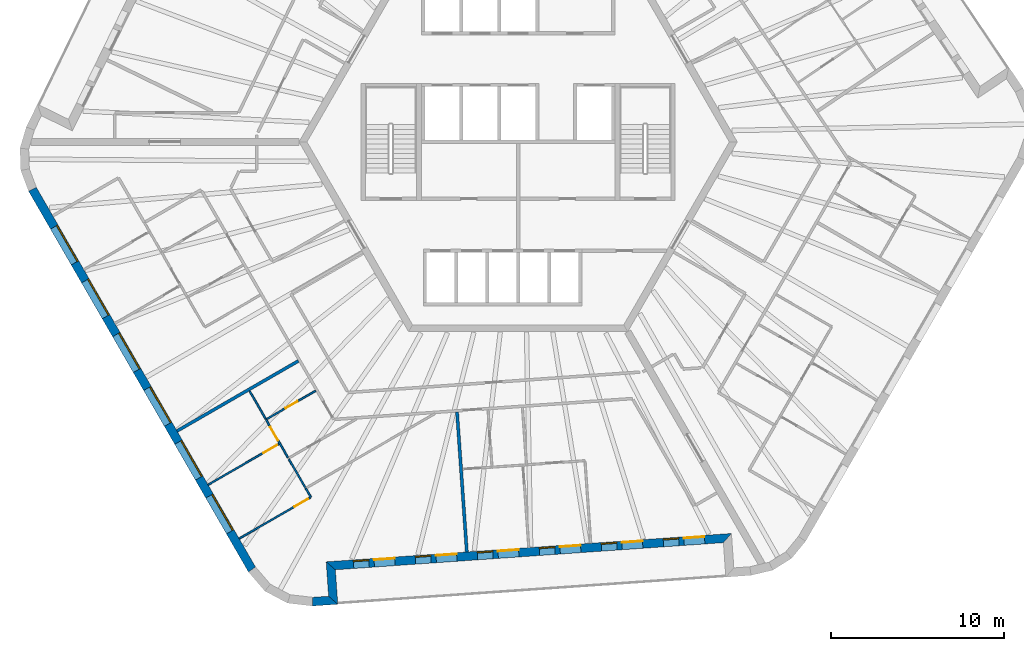
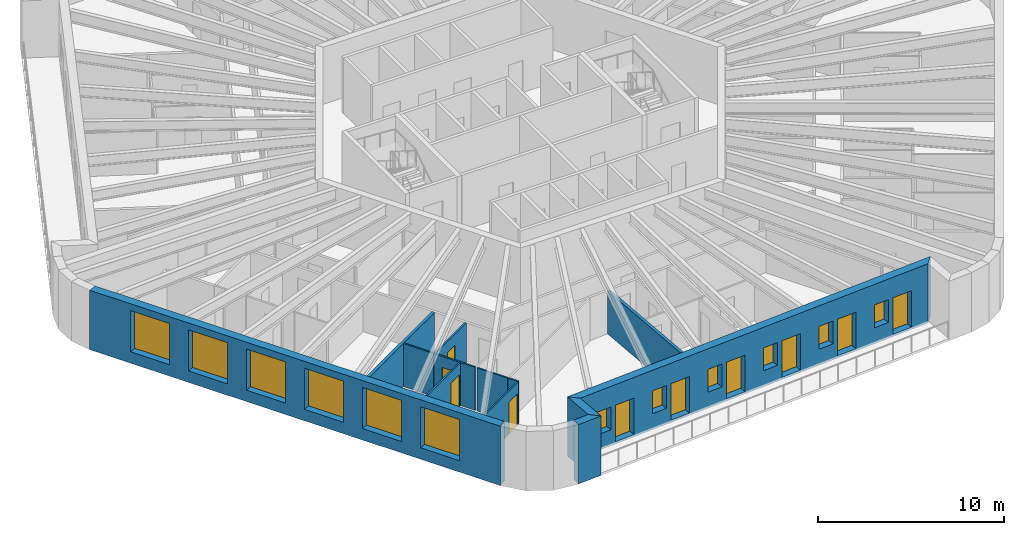
# One storey, part 3 of 12: 13 walls, 12 windows, 10 doors, 22 openings.
"""IFC4 building model written with IfcOpenShell, lengths in metres."""

from ifc_helpers import new_model, si_unit, direction, frame, frame_2d, origin, place, context, subcontext, project, spatial, polyline, rectangle, outline, extrude, material, layer, layer_set, type_object, element, fill, save


model = new_model("IFC4")

# Units and contexts
model_context = context("Model", 3, precision=1e-05, world=origin(), true_north=direction((0.0, 1.0)))
body_context = subcontext(model_context, "Body", "Model", "MODEL_VIEW")
ifc_project = project(units=[si_unit("LENGTHUNIT", "METRE"), si_unit("AREAUNIT", "SQUARE_METRE"), si_unit("VOLUMEUNIT", "CUBIC_METRE"), si_unit("PLANEANGLEUNIT", "RADIAN"), si_unit("MASSUNIT", "GRAM", prefix="KILO")], contexts=[model_context])

# Site, building, storey
site_placement = place(None, origin())
site = spatial("IfcSite", under=ifc_project, at=site_placement, CompositionType="ELEMENT")
building_placement = place(site_placement, origin())
building = spatial("IfcBuilding", under=site, at=building_placement, Name="Tarnside Tower", CompositionType="ELEMENT")
storey_placement = place(building_placement, frame((0.0, 0.0, 264.0)))
storey = spatial("IfcBuildingStorey", under=building, at=storey_placement, Name="L63", CompositionType="ELEMENT", Elevation=264.0)

# Wall, opening, door
ifc_material_1 = material(Name="Gypsum board partition on steel studs", Category="steel")
ifc_layer_1 = layer(ifc_material_1, 0.10009765625)
ifc_layer_set_1 = layer_set([ifc_layer_1], Name="Bathroom wall 100")
wall_type_1 = type_object("IfcWallType", Name="Bathroom wall 100", PredefinedType="PARTITIONING", material=ifc_layer_set_1)
wall_1_placement = place(storey_placement, frame((-11.73486328125, -14.4248046875, 0.0), z_axis=(0.0, 0.0, 1.0), x_axis=(-0.866033959199, -0.499985181294, 0.0)))
wall_1 = element("IfcWall", 1, at=wall_1_placement, inside=storey, type_object=wall_type_1, Name="Bathroom wall 20124", PredefinedType="PARTITIONING", context=body_context, shape_type="SweptSolid", body=[
    extrude(rectangle(XDim=3.32470703125, YDim=0.10009765625, at=frame_2d((1.662353515625, 0.0))), origin(), (0.0, 0.0, 1.0), 2.823486328125),
])
opening_1_placement = place(wall_1_placement, frame((1.22509765625, 0.0, 0.0)))
opening_1 = element("IfcOpeningElement", 2, at=opening_1_placement, cuts=wall_1, Name="Opening D-B1", PredefinedType="OPENING", context=body_context, shape_type="SweptSolid", body=[
    extrude(rectangle(XDim=0.800048828125, YDim=2.10009765625, at=frame_2d((0.39990234375, 1.050048828125))), frame((0.0, 0.06005859375, 0.0), z_axis=(0.0, -1.0, 0.0), x_axis=(1.0, 0.0, 0.0)), (0.0, 0.0, 1.0), 0.1201171875),
])
ifc_material_2 = material(Name="Timber door leaf", Category="wood")
door_type_1 = type_object("IfcDoorType", Name="Bathroom door 800", OperationType="NOTDEFINED", PredefinedType="DOOR", material=ifc_material_2)
door_1_placement = place(opening_1_placement, origin())
door_1 = element("IfcDoor", 3, at=door_1_placement, inside=storey, type_object=door_type_1, Name="Bathroom door 20033", OperationType="SINGLE_SWING_RIGHT", OverallHeight=2.10009765625, OverallWidth=0.800048828125, PredefinedType="DOOR", context=body_context, shape_type="SweptSolid", body=[
    extrude(rectangle(XDim=0.800048828125, YDim=2.10009765625, at=frame_2d((0.39990234375, 1.050048828125))), frame((0.0, 0.02490234375, 0.0), z_axis=(0.0, -1.0, 0.0), x_axis=(1.0, 0.0, 0.0)), (0.0, 0.0, 1.0), 0.050048828125),
])
fill(opening_1, door_1)

# Walls
wall_2_placement = place(storey_placement, frame((-15.5693359375, -14.43310546875, 0.0), z_axis=(0.0, 0.0, 1.0), x_axis=(0.499960808225, -0.866048029984, 0.0)))
element("IfcWall", 4, at=wall_2_placement, inside=storey, type_object=wall_type_1, Name="Bathroom wall 20128", PredefinedType="PARTITIONING", context=body_context, shape_type="SweptSolid", body=[
    extrude(rectangle(XDim=1.862060546875, YDim=0.10009765625, at=frame_2d((0.93115234375, 0.0))), origin(), (0.0, 0.0, 1.0), 2.823486328125),
])
wall_3_placement = place(storey_placement, frame((-12.33935546875, -20.027587890625, 0.0), z_axis=(0.0, 0.0, 1.0), x_axis=(-0.500022797313, 0.86601224135, 0.0)))
element("IfcWall", 5, at=wall_3_placement, inside=storey, type_object=wall_type_1, Name="Bathroom wall 20130", PredefinedType="PARTITIONING", context=body_context, shape_type="SweptSolid", body=[
    extrude(rectangle(XDim=1.89990234375, YDim=0.10009765625, at=frame_2d((0.949951171875, 0.0))), origin(), (0.0, 0.0, 1.0), 2.823486328125),
])
ifc_layer_2 = layer(ifc_material_1, 0.179931640625)
ifc_layer_set_2 = layer_set([ifc_layer_2], Name="Demising wall 180 EI 60")
wall_type_2 = type_object("IfcWallType", Name="Demising wall 180 EI 60", PredefinedType="PARTITIONING", material=ifc_layer_set_2)
for number, where, z_axis, x_axis, name in (
    (6, (-19.771240234375, -16.755126953125, 0.0), (0.0, 0.0, 1.0), (0.866022959057, 0.500004234368, 0.0), "Demising wall 20111"),
    (7, (-2.97412109375, -23.765380859375, 0.0), (0.0, 0.0, 1.0), (-0.069771417753, 0.99756300516, 0.0), "Demising wall 20122"),
):
    element("IfcWall", number, at=place(storey_placement, frame(where, z_axis=z_axis, x_axis=x_axis)), inside=storey, type_object=wall_type_2, Name=name, PredefinedType="PARTITIONING", context=body_context, shape_type="SweptSolid", body=[
        extrude(rectangle(XDim=8.125, YDim=0.179931640625, at=frame_2d((4.0625, 0.0))), origin(), (0.0, 0.0, 1.0), 2.823486328125),
    ])
ifc_material_3 = material(Name="Dark zinc cladding")
ifc_layer_3 = layer(ifc_material_3, 0.10205078125)
ifc_material_4 = material(Name="Concrete C60/75 precast", Category="concrete")
ifc_layer_4 = layer(ifc_material_4, 0.298095703125)
ifc_material_5 = material(Name="Mineral wool insulation")
ifc_layer_5 = layer(ifc_material_5, 0.10009765625)
ifc_layer_set_3 = layer_set([ifc_layer_3, ifc_layer_4, ifc_layer_5], Name="Loggia wall 500 zinc faced")
wall_type_3 = type_object("IfcWallType", Name="Loggia wall 500 zinc faced", PredefinedType="SOLIDWALL", material=ifc_layer_set_3)
wall_4_placement = place(storey_placement, frame((-11.91748046875, -26.646240234375, -0.14990234375), z_axis=(0.0, 0.0, 1.0), x_axis=(0.997562933087, 0.069772448216, 0.0)))
element("IfcWall", 8, at=wall_4_placement, inside=storey, type_object=wall_type_3, Name="Tube wall L63 F4 stub 16", PredefinedType="SOLIDWALL", context=body_context, shape_type="SweptSolid", body=[
    extrude(outline(polyline([(-0.0234375, -0.25), (1.4501953125, -0.25), (0.9501953125, 0.25), (0.0234375, 0.25), (-0.0234375, -0.25)])), origin(), (0.0, 0.0, 1.0), 3.89990234375),
])
wall_5_placement = place(storey_placement, frame((-10.72021484375, -26.5625, -0.14990234375), z_axis=(0.0, 0.0, 1.0), x_axis=(-0.069824268692, 0.99755930726, 0.0)))
element("IfcWall", 9, at=wall_5_placement, inside=storey, type_object=wall_type_3, Name="Tube wall L63 F4 return 17", PredefinedType="SOLIDWALL", context=body_context, shape_type="SweptSolid", body=[
    extrude(outline(polyline([(-0.25, -0.25), (1.75, -0.25), (2.25, 0.25), (0.25, 0.25), (-0.25, -0.25)])), origin(), (0.0, 0.0, 1.0), 3.89990234375),
])

# Wall, openings, doors, windows
wall_6_placement = place(storey_placement, frame((-10.85986328125, -24.5673828125, -0.14990234375), z_axis=(0.0, 0.0, 1.0), x_axis=(0.997564329317, 0.06975248292, 0.0)))
wall_6 = element("IfcWall", 10, at=wall_6_placement, inside=storey, type_object=wall_type_3, Name="Tube wall L63 F4 back 18", PredefinedType="SOLIDWALL", context=body_context, shape_type="SweptSolid", body=[
    extrude(outline(polyline([(0.25, -0.25), (22.794677734375, -0.25), (23.294677734375, 0.25), (-0.25, 0.25), (0.25, -0.25)])), origin(), (0.0, 0.0, 1.0), 3.89990234375),
])
opening_2_placement = place(wall_6_placement, frame((1.322509765625, 0.0, 1.050048828125)))
opening_2 = element("IfcOpeningElement", 11, at=opening_2_placement, cuts=wall_6, Name="Opening WL500", PredefinedType="OPENING", context=body_context, shape_type="SweptSolid", body=[
    extrude(rectangle(XDim=0.89990234375, YDim=1.5, at=frame_2d((0.449951171875, 0.75))), frame((0.0, 0.260009765625, 0.0), z_axis=(0.0, -1.0, 0.0), x_axis=(1.0, 0.0, 0.0)), (0.0, 0.0, 1.0), 0.52001953125),
])
opening_3_placement = place(wall_6_placement, frame((2.5224609375, 0.0, 0.14990234375)))
opening_3 = element("IfcOpeningElement", 12, at=opening_3_placement, cuts=wall_6, Name="Opening DB500", PredefinedType="OPENING", context=body_context, shape_type="SweptSolid", body=[
    extrude(rectangle(XDim=1.199951171875, YDim=2.39990234375, at=frame_2d((0.60009765625, 1.199951171875))), frame((0.0, 0.260009765625, 0.0), z_axis=(0.0, -1.0, 0.0), x_axis=(1.0, 0.0, 0.0)), (0.0, 0.0, 1.0), 0.52001953125),
])
opening_4_placement = place(wall_6_placement, frame((4.92236328125, 0.0, 1.050048828125)))
opening_4 = element("IfcOpeningElement", 13, at=opening_4_placement, cuts=wall_6, Name="Opening WL500", PredefinedType="OPENING", context=body_context, shape_type="SweptSolid", body=[
    extrude(rectangle(XDim=0.89990234375, YDim=1.5, at=frame_2d((0.449951171875, 0.75))), frame((0.0, 0.260009765625, 0.0), z_axis=(0.0, -1.0, 0.0), x_axis=(1.0, 0.0, 0.0)), (0.0, 0.0, 1.0), 0.52001953125),
])
opening_5_placement = place(wall_6_placement, frame((6.122314453125, 0.0, 0.14990234375)))
opening_5 = element("IfcOpeningElement", 14, at=opening_5_placement, cuts=wall_6, Name="Opening DB500", PredefinedType="OPENING", context=body_context, shape_type="SweptSolid", body=[
    extrude(rectangle(XDim=1.199951171875, YDim=2.39990234375, at=frame_2d((0.60009765625, 1.199951171875))), frame((0.0, 0.260009765625, 0.0), z_axis=(0.0, -1.0, 0.0), x_axis=(1.0, 0.0, 0.0)), (0.0, 0.0, 1.0), 0.52001953125),
])
opening_6_placement = place(wall_6_placement, frame((8.5224609375, 0.0, 1.050048828125)))
opening_6 = element("IfcOpeningElement", 15, at=opening_6_placement, cuts=wall_6, Name="Opening WL500", PredefinedType="OPENING", context=body_context, shape_type="SweptSolid", body=[
    extrude(rectangle(XDim=0.89990234375, YDim=1.5, at=frame_2d((0.449951171875, 0.75))), frame((0.0, 0.260009765625, 0.0), z_axis=(0.0, -1.0, 0.0), x_axis=(1.0, 0.0, 0.0)), (0.0, 0.0, 1.0), 0.52001953125),
])
opening_7_placement = place(wall_6_placement, frame((9.722412109375, 0.0, 0.14990234375)))
opening_7 = element("IfcOpeningElement", 16, at=opening_7_placement, cuts=wall_6, Name="Opening DB500", PredefinedType="OPENING", context=body_context, shape_type="SweptSolid", body=[
    extrude(rectangle(XDim=1.199951171875, YDim=2.39990234375, at=frame_2d((0.60009765625, 1.199951171875))), frame((0.0, 0.260009765625, 0.0), z_axis=(0.0, -1.0, 0.0), x_axis=(1.0, 0.0, 0.0)), (0.0, 0.0, 1.0), 0.52001953125),
])
opening_8_placement = place(wall_6_placement, frame((12.122314453125, 0.0, 1.050048828125)))
opening_8 = element("IfcOpeningElement", 17, at=opening_8_placement, cuts=wall_6, Name="Opening WL500", PredefinedType="OPENING", context=body_context, shape_type="SweptSolid", body=[
    extrude(rectangle(XDim=0.89990234375, YDim=1.5, at=frame_2d((0.449951171875, 0.75))), frame((0.0, 0.260009765625, 0.0), z_axis=(0.0, -1.0, 0.0), x_axis=(1.0, 0.0, 0.0)), (0.0, 0.0, 1.0), 0.52001953125),
])
opening_9_placement = place(wall_6_placement, frame((13.322509765625, 0.0, 0.14990234375)))
opening_9 = element("IfcOpeningElement", 18, at=opening_9_placement, cuts=wall_6, Name="Opening DB500", PredefinedType="OPENING", context=body_context, shape_type="SweptSolid", body=[
    extrude(rectangle(XDim=1.199951171875, YDim=2.39990234375, at=frame_2d((0.60009765625, 1.199951171875))), frame((0.0, 0.260009765625, 0.0), z_axis=(0.0, -1.0, 0.0), x_axis=(1.0, 0.0, 0.0)), (0.0, 0.0, 1.0), 0.52001953125),
])
opening_10_placement = place(wall_6_placement, frame((15.722412109375, 0.0, 1.050048828125)))
opening_10 = element("IfcOpeningElement", 19, at=opening_10_placement, cuts=wall_6, Name="Opening WL500", PredefinedType="OPENING", context=body_context, shape_type="SweptSolid", body=[
    extrude(rectangle(XDim=0.89990234375, YDim=1.5, at=frame_2d((0.449951171875, 0.75))), frame((0.0, 0.260009765625, 0.0), z_axis=(0.0, -1.0, 0.0), x_axis=(1.0, 0.0, 0.0)), (0.0, 0.0, 1.0), 0.52001953125),
])
opening_11_placement = place(wall_6_placement, frame((16.92236328125, 0.0, 0.14990234375)))
opening_11 = element("IfcOpeningElement", 20, at=opening_11_placement, cuts=wall_6, Name="Opening DB500", PredefinedType="OPENING", context=body_context, shape_type="SweptSolid", body=[
    extrude(rectangle(XDim=1.199951171875, YDim=2.39990234375, at=frame_2d((0.60009765625, 1.199951171875))), frame((0.0, 0.260009765625, 0.0), z_axis=(0.0, -1.0, 0.0), x_axis=(1.0, 0.0, 0.0)), (0.0, 0.0, 1.0), 0.52001953125),
])
opening_12_placement = place(wall_6_placement, frame((19.322509765625, 0.0, 1.050048828125)))
opening_12 = element("IfcOpeningElement", 21, at=opening_12_placement, cuts=wall_6, Name="Opening WL500", PredefinedType="OPENING", context=body_context, shape_type="SweptSolid", body=[
    extrude(rectangle(XDim=0.89990234375, YDim=1.5, at=frame_2d((0.449951171875, 0.75))), frame((0.0, 0.260009765625, 0.0), z_axis=(0.0, -1.0, 0.0), x_axis=(1.0, 0.0, 0.0)), (0.0, 0.0, 1.0), 0.52001953125),
])
opening_13_placement = place(wall_6_placement, frame((20.5224609375, 0.0, 0.14990234375)))
opening_13 = element("IfcOpeningElement", 22, at=opening_13_placement, cuts=wall_6, Name="Opening DB500", PredefinedType="OPENING", context=body_context, shape_type="SweptSolid", body=[
    extrude(rectangle(XDim=1.199951171875, YDim=2.39990234375, at=frame_2d((0.60009765625, 1.199951171875))), frame((0.0, 0.260009765625, 0.0), z_axis=(0.0, -1.0, 0.0), x_axis=(1.0, 0.0, 0.0)), (0.0, 0.0, 1.0), 0.52001953125),
])
ifc_material_6 = material(Name="Aluminium-framed double glazing", Category="aluminium")
door_type_2 = type_object("IfcDoorType", Name="Balcony sliding door 1200 x 2400 in 500 wall", OperationType="SLIDING_TO_LEFT", PredefinedType="DOOR", material=ifc_material_6)
door_2_placement = place(opening_3_placement, frame((0.0, 0.1748046875, 0.0)))
door_2 = element("IfcDoor", 23, at=door_2_placement, inside=storey, type_object=door_type_2, Name="E.BD.L63.F4.00", OperationType="SLIDING_TO_LEFT", OverallHeight=2.39990234375, OverallWidth=1.199951171875, PredefinedType="DOOR", context=body_context, shape_type="SweptSolid", body=[
    extrude(rectangle(XDim=1.199951171875, YDim=2.39990234375, at=frame_2d((0.60009765625, 1.199951171875))), frame((0.0, 0.02490234375, 0.0), z_axis=(0.0, -1.0, 0.0), x_axis=(1.0, 0.0, 0.0)), (0.0, 0.0, 1.0), 0.050048828125),
])
fill(opening_3, door_2)
door_3_placement = place(opening_5_placement, frame((0.0, 0.1748046875, 0.0)))
door_3 = element("IfcDoor", 24, at=door_3_placement, inside=storey, type_object=door_type_2, Name="E.BD.L63.F4.01", OperationType="SLIDING_TO_LEFT", OverallHeight=2.39990234375, OverallWidth=1.199951171875, PredefinedType="DOOR", context=body_context, shape_type="SweptSolid", body=[
    extrude(rectangle(XDim=1.199951171875, YDim=2.39990234375, at=frame_2d((0.60009765625, 1.199951171875))), frame((0.0, 0.02490234375, 0.0), z_axis=(0.0, -1.0, 0.0), x_axis=(1.0, 0.0, 0.0)), (0.0, 0.0, 1.0), 0.050048828125),
])
fill(opening_5, door_3)
door_4_placement = place(opening_7_placement, frame((0.0, 0.1748046875, 0.0)))
door_4 = element("IfcDoor", 25, at=door_4_placement, inside=storey, type_object=door_type_2, Name="E.BD.L63.F4.02", OperationType="SLIDING_TO_LEFT", OverallHeight=2.39990234375, OverallWidth=1.199951171875, PredefinedType="DOOR", context=body_context, shape_type="SweptSolid", body=[
    extrude(rectangle(XDim=1.199951171875, YDim=2.39990234375, at=frame_2d((0.60009765625, 1.199951171875))), frame((0.0, 0.02490234375, 0.0), z_axis=(0.0, -1.0, 0.0), x_axis=(1.0, 0.0, 0.0)), (0.0, 0.0, 1.0), 0.050048828125),
])
fill(opening_7, door_4)
door_5_placement = place(opening_9_placement, frame((0.0, 0.1748046875, 0.0)))
door_5 = element("IfcDoor", 26, at=door_5_placement, inside=storey, type_object=door_type_2, Name="E.BD.L63.F4.03", OperationType="SLIDING_TO_LEFT", OverallHeight=2.39990234375, OverallWidth=1.199951171875, PredefinedType="DOOR", context=body_context, shape_type="SweptSolid", body=[
    extrude(rectangle(XDim=1.199951171875, YDim=2.39990234375, at=frame_2d((0.60009765625, 1.199951171875))), frame((0.0, 0.02490234375, 0.0), z_axis=(0.0, -1.0, 0.0), x_axis=(1.0, 0.0, 0.0)), (0.0, 0.0, 1.0), 0.050048828125),
])
fill(opening_9, door_5)
door_6_placement = place(opening_11_placement, frame((0.0, 0.1748046875, 0.0)))
door_6 = element("IfcDoor", 27, at=door_6_placement, inside=storey, type_object=door_type_2, Name="E.BD.L63.F4.04", OperationType="SLIDING_TO_LEFT", OverallHeight=2.39990234375, OverallWidth=1.199951171875, PredefinedType="DOOR", context=body_context, shape_type="SweptSolid", body=[
    extrude(rectangle(XDim=1.199951171875, YDim=2.39990234375, at=frame_2d((0.60009765625, 1.199951171875))), frame((0.0, 0.02490234375, 0.0), z_axis=(0.0, -1.0, 0.0), x_axis=(1.0, 0.0, 0.0)), (0.0, 0.0, 1.0), 0.050048828125),
])
fill(opening_11, door_6)
door_7_placement = place(opening_13_placement, frame((0.0, 0.1748046875, 0.0)))
door_7 = element("IfcDoor", 28, at=door_7_placement, inside=storey, type_object=door_type_2, Name="E.BD.L63.F4.05", OperationType="SLIDING_TO_LEFT", OverallHeight=2.39990234375, OverallWidth=1.199951171875, PredefinedType="DOOR", context=body_context, shape_type="SweptSolid", body=[
    extrude(rectangle(XDim=1.199951171875, YDim=2.39990234375, at=frame_2d((0.60009765625, 1.199951171875))), frame((0.0, 0.02490234375, 0.0), z_axis=(0.0, -1.0, 0.0), x_axis=(1.0, 0.0, 0.0)), (0.0, 0.0, 1.0), 0.050048828125),
])
fill(opening_13, door_7)
window_type_1 = type_object("IfcWindowType", Name="Loggia window 900 x 1500 in 500 wall", PartitioningType="SINGLE_PANEL", PredefinedType="WINDOW", material=ifc_material_6)
window_1_placement = place(opening_2_placement, frame((0.0, 0.179931640625, 0.0)))
window_1 = element("IfcWindow", 29, at=window_1_placement, inside=storey, type_object=window_type_1, Name="E.LW.L63.F4.00", OverallHeight=1.5, OverallWidth=0.89990234375, PartitioningType="SINGLE_PANEL", PredefinedType="WINDOW", context=body_context, shape_type="SweptSolid", body=[
    extrude(rectangle(XDim=0.89990234375, YDim=1.5, at=frame_2d((0.449951171875, 0.75))), frame((0.0, 0.030029296875, 0.0), z_axis=(0.0, -1.0, 0.0), x_axis=(1.0, 0.0, 0.0)), (0.0, 0.0, 1.0), 0.06005859375),
])
fill(opening_2, window_1)
window_2_placement = place(opening_4_placement, frame((0.0, 0.179931640625, 0.0)))
window_2 = element("IfcWindow", 30, at=window_2_placement, inside=storey, type_object=window_type_1, Name="E.LW.L63.F4.01", OverallHeight=1.5, OverallWidth=0.89990234375, PartitioningType="SINGLE_PANEL", PredefinedType="WINDOW", context=body_context, shape_type="SweptSolid", body=[
    extrude(rectangle(XDim=0.89990234375, YDim=1.5, at=frame_2d((0.449951171875, 0.75))), frame((0.0, 0.030029296875, 0.0), z_axis=(0.0, -1.0, 0.0), x_axis=(1.0, 0.0, 0.0)), (0.0, 0.0, 1.0), 0.06005859375),
])
fill(opening_4, window_2)
window_3_placement = place(opening_6_placement, frame((0.0, 0.179931640625, 0.0)))
window_3 = element("IfcWindow", 31, at=window_3_placement, inside=storey, type_object=window_type_1, Name="E.LW.L63.F4.02", OverallHeight=1.5, OverallWidth=0.89990234375, PartitioningType="SINGLE_PANEL", PredefinedType="WINDOW", context=body_context, shape_type="SweptSolid", body=[
    extrude(rectangle(XDim=0.89990234375, YDim=1.5, at=frame_2d((0.449951171875, 0.75))), frame((0.0, 0.030029296875, 0.0), z_axis=(0.0, -1.0, 0.0), x_axis=(1.0, 0.0, 0.0)), (0.0, 0.0, 1.0), 0.06005859375),
])
fill(opening_6, window_3)
window_4_placement = place(opening_8_placement, frame((0.0, 0.179931640625, 0.0)))
window_4 = element("IfcWindow", 32, at=window_4_placement, inside=storey, type_object=window_type_1, Name="E.LW.L63.F4.03", OverallHeight=1.5, OverallWidth=0.89990234375, PartitioningType="SINGLE_PANEL", PredefinedType="WINDOW", context=body_context, shape_type="SweptSolid", body=[
    extrude(rectangle(XDim=0.89990234375, YDim=1.5, at=frame_2d((0.449951171875, 0.75))), frame((0.0, 0.030029296875, 0.0), z_axis=(0.0, -1.0, 0.0), x_axis=(1.0, 0.0, 0.0)), (0.0, 0.0, 1.0), 0.06005859375),
])
fill(opening_8, window_4)
window_5_placement = place(opening_10_placement, frame((0.0, 0.179931640625, 0.0)))
window_5 = element("IfcWindow", 33, at=window_5_placement, inside=storey, type_object=window_type_1, Name="E.LW.L63.F4.04", OverallHeight=1.5, OverallWidth=0.89990234375, PartitioningType="SINGLE_PANEL", PredefinedType="WINDOW", context=body_context, shape_type="SweptSolid", body=[
    extrude(rectangle(XDim=0.89990234375, YDim=1.5, at=frame_2d((0.449951171875, 0.75))), frame((0.0, 0.030029296875, 0.0), z_axis=(0.0, -1.0, 0.0), x_axis=(1.0, 0.0, 0.0)), (0.0, 0.0, 1.0), 0.06005859375),
])
fill(opening_10, window_5)
window_6_placement = place(opening_12_placement, frame((0.0, 0.179931640625, 0.0)))
window_6 = element("IfcWindow", 34, at=window_6_placement, inside=storey, type_object=window_type_1, Name="E.LW.L63.F4.05", OverallHeight=1.5, OverallWidth=0.89990234375, PartitioningType="SINGLE_PANEL", PredefinedType="WINDOW", context=body_context, shape_type="SweptSolid", body=[
    extrude(rectangle(XDim=0.89990234375, YDim=1.5, at=frame_2d((0.449951171875, 0.75))), frame((0.0, 0.030029296875, 0.0), z_axis=(0.0, -1.0, 0.0), x_axis=(1.0, 0.0, 0.0)), (0.0, 0.0, 1.0), 0.06005859375),
])
fill(opening_12, window_6)

# Wall
ifc_layer_6 = layer(ifc_material_1, 0.10009765625)
ifc_layer_set_4 = layer_set([ifc_layer_6], Name="Partition 100")
wall_type_4 = type_object("IfcWallType", Name="Partition 100", PredefinedType="PARTITIONING", material=ifc_layer_set_4)
wall_7_placement = place(storey_placement, frame((-12.3154296875, -20.0693359375, 0.0), z_axis=(0.0, 0.0, 1.0), x_axis=(0.500108649621, -0.865962665808, 0.0)))
element("IfcWall", 35, at=wall_7_placement, inside=storey, type_object=wall_type_4, Name="Partition wall 20119", PredefinedType="PARTITIONING", context=body_context, shape_type="SweptSolid", body=[
    extrude(rectangle(XDim=0.601806640625, YDim=0.10009765625, at=frame_2d((0.30078125, 0.0))), origin(), (0.0, 0.0, 1.0), 2.823486328125),
])

# Wall, opening, door
wall_8_placement = place(storey_placement, frame((-12.0576171875, -20.615478515625, 0.0), z_axis=(0.0, 0.0, 1.0), x_axis=(-0.866020389056, -0.500008685663, 0.0)))
wall_8 = element("IfcWall", 36, at=wall_8_placement, inside=storey, type_object=wall_type_4, Name="Partition wall 20120", PredefinedType="PARTITIONING", context=body_context, shape_type="SweptSolid", body=[
    extrude(rectangle(XDim=4.75, YDim=0.10009765625, at=frame_2d((2.375, 0.0))), origin(), (0.0, 0.0, 1.0), 2.823486328125),
])
opening_14_placement = place(wall_8_placement, frame((0.14990234375, 0.0, 0.0)))
opening_14 = element("IfcOpeningElement", 37, at=opening_14_placement, cuts=wall_8, Name="Opening D-I1", PredefinedType="OPENING", context=body_context, shape_type="SweptSolid", body=[
    extrude(rectangle(XDim=0.89990234375, YDim=2.10009765625, at=frame_2d((0.449951171875, 1.050048828125))), frame((0.0, 0.06005859375, 0.0), z_axis=(0.0, -1.0, 0.0), x_axis=(1.0, 0.0, 0.0)), (0.0, 0.0, 1.0), 0.1201171875),
])
door_type_3 = type_object("IfcDoorType", Name="Internal door 900", OperationType="NOTDEFINED", PredefinedType="DOOR", material=ifc_material_2)
door_8_placement = place(opening_14_placement, origin())
door_8 = element("IfcDoor", 38, at=door_8_placement, inside=storey, type_object=door_type_3, Name="Internal door 20040", OperationType="SINGLE_SWING_RIGHT", OverallHeight=2.10009765625, OverallWidth=0.89990234375, PredefinedType="DOOR", context=body_context, shape_type="SweptSolid", body=[
    extrude(rectangle(XDim=0.89990234375, YDim=2.10009765625, at=frame_2d((0.449951171875, 1.050048828125))), frame((0.0, 0.02490234375, 0.0), z_axis=(0.0, -1.0, 0.0), x_axis=(1.0, 0.0, 0.0)), (0.0, 0.0, 1.0), 0.050048828125),
])
fill(opening_14, door_8)

wall_9_placement = place(storey_placement, frame((-14.615234375, -16.08544921875, 0.0), z_axis=(0.0, 0.0, 1.0), x_axis=(0.499943114462, -0.866058244174, 0.0)))
wall_9 = element("IfcWall", 39, at=wall_9_placement, inside=storey, type_object=wall_type_4, Name="Partition wall 20125", PredefinedType="PARTITIONING", context=body_context, shape_type="SweptSolid", body=[
    extrude(rectangle(XDim=2.553955078125, YDim=0.10009765625, at=frame_2d((1.27685546875, 0.0))), origin(), (0.0, 0.0, 1.0), 2.823486328125),
])
opening_15_placement = place(wall_9_placement, frame((0.501953125, 0.0, 0.0)))
opening_15 = element("IfcOpeningElement", 40, at=opening_15_placement, cuts=wall_9, Name="Opening D-I1", PredefinedType="OPENING", context=body_context, shape_type="SweptSolid", body=[
    extrude(rectangle(XDim=0.89990234375, YDim=2.10009765625, at=frame_2d((0.449951171875, 1.050048828125))), frame((0.0, 0.06005859375, 0.0), z_axis=(0.0, -1.0, 0.0), x_axis=(1.0, 0.0, 0.0)), (0.0, 0.0, 1.0), 0.1201171875),
])
door_9_placement = place(opening_15_placement, origin())
door_9 = element("IfcDoor", 41, at=door_9_placement, inside=storey, type_object=door_type_3, Name="Internal door 20035", OperationType="SINGLE_SWING_LEFT", OverallHeight=2.10009765625, OverallWidth=0.89990234375, PredefinedType="DOOR", context=body_context, shape_type="SweptSolid", body=[
    extrude(rectangle(XDim=0.89990234375, YDim=2.10009765625, at=frame_2d((0.449951171875, 1.050048828125))), frame((0.0, 0.02490234375, 0.0), z_axis=(0.0, -1.0, 0.0), x_axis=(1.0, 0.0, 0.0)), (0.0, 0.0, 1.0), 0.050048828125),
])
fill(opening_15, door_9)

wall_10_placement = place(storey_placement, frame((-17.97119140625, -19.872802734375, 0.0), z_axis=(0.0, 0.0, 1.0), x_axis=(0.866020389056, 0.500008685663, 0.0)))
wall_10 = element("IfcWall", 42, at=wall_10_placement, inside=storey, type_object=wall_type_4, Name="Partition wall 20129", PredefinedType="PARTITIONING", context=body_context, shape_type="SweptSolid", body=[
    extrude(rectangle(XDim=4.75, YDim=0.10009765625, at=frame_2d((2.375, 0.0))), origin(), (0.0, 0.0, 1.0), 2.823486328125),
])
opening_16_placement = place(wall_10_placement, frame((3.699951171875, 0.0, 0.0)))
opening_16 = element("IfcOpeningElement", 43, at=opening_16_placement, cuts=wall_10, Name="Opening D-I1", PredefinedType="OPENING", context=body_context, shape_type="SweptSolid", body=[
    extrude(rectangle(XDim=0.89990234375, YDim=2.10009765625, at=frame_2d((0.449951171875, 1.050048828125))), frame((0.0, 0.06005859375, 0.0), z_axis=(0.0, -1.0, 0.0), x_axis=(1.0, 0.0, 0.0)), (0.0, 0.0, 1.0), 0.1201171875),
])
door_10_placement = place(opening_16_placement, origin())
door_10 = element("IfcDoor", 44, at=door_10_placement, inside=storey, type_object=door_type_3, Name="Internal door 20038", OperationType="SINGLE_SWING_RIGHT", OverallHeight=2.10009765625, OverallWidth=0.89990234375, PredefinedType="DOOR", context=body_context, shape_type="SweptSolid", body=[
    extrude(rectangle(XDim=0.89990234375, YDim=2.10009765625, at=frame_2d((0.449951171875, 1.050048828125))), frame((0.0, 0.02490234375, 0.0), z_axis=(0.0, -1.0, 0.0), x_axis=(1.0, 0.0, 0.0)), (0.0, 0.0, 1.0), 0.050048828125),
])
fill(opening_16, door_10)

# Wall, openings, windows
ifc_material_7 = material(Name="Facing brick", Category="masonry")
ifc_layer_7 = layer(ifc_material_7, 0.10205078125)
ifc_layer_8 = layer(ifc_material_4, 0.298095703125)
ifc_layer_9 = layer(ifc_material_5, 0.10009765625)
ifc_layer_set_5 = layer_set([ifc_layer_7, ifc_layer_8, ifc_layer_9], Name="Tube wall 500 brick faced")
wall_type_5 = type_object("IfcWallType", Name="Tube wall 500 brick faced", PredefinedType="SOLIDWALL", material=ifc_layer_set_5)
wall_11_placement = place(storey_placement, frame((-28.14892578125, -2.74462890625, -0.14990234375), z_axis=(0.0, 0.0, 1.0), x_axis=(0.500003737743, -0.866023245787, 0.0)))
wall_11 = element("IfcWall", 45, at=wall_11_placement, inside=storey, type_object=wall_type_5, Name="Tube wall L63 F3 flush 12", PredefinedType="SOLIDWALL", context=body_context, shape_type="SweptSolid", body=[
    extrude(outline(polyline([(-0.0205078125, -0.25), (25.468017578125, -0.25), (25.421142578125, 0.25), (0.0205078125, 0.25), (-0.0205078125, -0.25)])), origin(), (0.0, 0.0, 1.0), 3.89990234375),
])
opening_17_placement = place(wall_11_placement, frame((2.5224609375, 0.0, 0.75)))
opening_17 = element("IfcOpeningElement", 46, at=opening_17_placement, cuts=wall_11, Name="Opening WR", PredefinedType="OPENING", context=body_context, shape_type="SweptSolid", body=[
    extrude(rectangle(XDim=2.39990234375, YDim=2.699951171875, at=frame_2d((1.199951171875, 1.35009765625))), frame((0.0, 0.260009765625, 0.0), z_axis=(0.0, -1.0, 0.0), x_axis=(1.0, 0.0, 0.0)), (0.0, 0.0, 1.0), 0.52001953125),
])
opening_18_placement = place(wall_11_placement, frame((6.122314453125, 0.0, 0.75)))
opening_18 = element("IfcOpeningElement", 47, at=opening_18_placement, cuts=wall_11, Name="Opening WR", PredefinedType="OPENING", context=body_context, shape_type="SweptSolid", body=[
    extrude(rectangle(XDim=2.39990234375, YDim=2.699951171875, at=frame_2d((1.199951171875, 1.35009765625))), frame((0.0, 0.260009765625, 0.0), z_axis=(0.0, -1.0, 0.0), x_axis=(1.0, 0.0, 0.0)), (0.0, 0.0, 1.0), 0.52001953125),
])
opening_19_placement = place(wall_11_placement, frame((9.722412109375, 0.0, 0.75)))
opening_19 = element("IfcOpeningElement", 48, at=opening_19_placement, cuts=wall_11, Name="Opening WR", PredefinedType="OPENING", context=body_context, shape_type="SweptSolid", body=[
    extrude(rectangle(XDim=2.39990234375, YDim=2.699951171875, at=frame_2d((1.199951171875, 1.35009765625))), frame((0.0, 0.260009765625, 0.0), z_axis=(0.0, -1.0, 0.0), x_axis=(1.0, 0.0, 0.0)), (0.0, 0.0, 1.0), 0.52001953125),
])
opening_20_placement = place(wall_11_placement, frame((13.322509765625, 0.0, 0.75)))
opening_20 = element("IfcOpeningElement", 49, at=opening_20_placement, cuts=wall_11, Name="Opening WR", PredefinedType="OPENING", context=body_context, shape_type="SweptSolid", body=[
    extrude(rectangle(XDim=2.39990234375, YDim=2.699951171875, at=frame_2d((1.199951171875, 1.35009765625))), frame((0.0, 0.260009765625, 0.0), z_axis=(0.0, -1.0, 0.0), x_axis=(1.0, 0.0, 0.0)), (0.0, 0.0, 1.0), 0.52001953125),
])
opening_21_placement = place(wall_11_placement, frame((16.92236328125, 0.0, 0.75)))
opening_21 = element("IfcOpeningElement", 50, at=opening_21_placement, cuts=wall_11, Name="Opening WR", PredefinedType="OPENING", context=body_context, shape_type="SweptSolid", body=[
    extrude(rectangle(XDim=2.39990234375, YDim=2.699951171875, at=frame_2d((1.199951171875, 1.35009765625))), frame((0.0, 0.260009765625, 0.0), z_axis=(0.0, -1.0, 0.0), x_axis=(1.0, 0.0, 0.0)), (0.0, 0.0, 1.0), 0.52001953125),
])
opening_22_placement = place(wall_11_placement, frame((20.5224609375, 0.0, 0.75)))
opening_22 = element("IfcOpeningElement", 51, at=opening_22_placement, cuts=wall_11, Name="Opening WR", PredefinedType="OPENING", context=body_context, shape_type="SweptSolid", body=[
    extrude(rectangle(XDim=2.39990234375, YDim=2.699951171875, at=frame_2d((1.199951171875, 1.35009765625))), frame((0.0, 0.260009765625, 0.0), z_axis=(0.0, -1.0, 0.0), x_axis=(1.0, 0.0, 0.0)), (0.0, 0.0, 1.0), 0.52001953125),
])
window_type_2 = type_object("IfcWindowType", Name="Residence window 2400 x 2700", PartitioningType="DOUBLE_PANEL_VERTICAL", PredefinedType="WINDOW", material=ifc_material_6)
window_7_placement = place(opening_17_placement, frame((0.0, 0.179931640625, 0.0)))
window_7 = element("IfcWindow", 52, at=window_7_placement, inside=storey, type_object=window_type_2, Name="E.WN.L63.F3.00", OverallHeight=2.699951171875, OverallWidth=2.39990234375, PartitioningType="DOUBLE_PANEL_VERTICAL", PredefinedType="WINDOW", context=body_context, shape_type="SweptSolid", body=[
    extrude(rectangle(XDim=2.39990234375, YDim=2.699951171875, at=frame_2d((1.199951171875, 1.35009765625))), frame((0.0, 0.030029296875, 0.0), z_axis=(0.0, -1.0, 0.0), x_axis=(1.0, 0.0, 0.0)), (0.0, 0.0, 1.0), 0.06005859375),
])
fill(opening_17, window_7)
window_8_placement = place(opening_18_placement, frame((0.0, 0.179931640625, 0.0)))
window_8 = element("IfcWindow", 53, at=window_8_placement, inside=storey, type_object=window_type_2, Name="E.WN.L63.F3.01", OverallHeight=2.699951171875, OverallWidth=2.39990234375, PartitioningType="DOUBLE_PANEL_VERTICAL", PredefinedType="WINDOW", context=body_context, shape_type="SweptSolid", body=[
    extrude(rectangle(XDim=2.39990234375, YDim=2.699951171875, at=frame_2d((1.199951171875, 1.35009765625))), frame((0.0, 0.030029296875, 0.0), z_axis=(0.0, -1.0, 0.0), x_axis=(1.0, 0.0, 0.0)), (0.0, 0.0, 1.0), 0.06005859375),
])
fill(opening_18, window_8)
window_9_placement = place(opening_19_placement, frame((0.0, 0.179931640625, 0.0)))
window_9 = element("IfcWindow", 54, at=window_9_placement, inside=storey, type_object=window_type_2, Name="E.WN.L63.F3.02", OverallHeight=2.699951171875, OverallWidth=2.39990234375, PartitioningType="DOUBLE_PANEL_VERTICAL", PredefinedType="WINDOW", context=body_context, shape_type="SweptSolid", body=[
    extrude(rectangle(XDim=2.39990234375, YDim=2.699951171875, at=frame_2d((1.199951171875, 1.35009765625))), frame((0.0, 0.030029296875, 0.0), z_axis=(0.0, -1.0, 0.0), x_axis=(1.0, 0.0, 0.0)), (0.0, 0.0, 1.0), 0.06005859375),
])
fill(opening_19, window_9)
window_10_placement = place(opening_20_placement, frame((0.0, 0.179931640625, 0.0)))
window_10 = element("IfcWindow", 55, at=window_10_placement, inside=storey, type_object=window_type_2, Name="E.WN.L63.F3.03", OverallHeight=2.699951171875, OverallWidth=2.39990234375, PartitioningType="DOUBLE_PANEL_VERTICAL", PredefinedType="WINDOW", context=body_context, shape_type="SweptSolid", body=[
    extrude(rectangle(XDim=2.39990234375, YDim=2.699951171875, at=frame_2d((1.199951171875, 1.35009765625))), frame((0.0, 0.030029296875, 0.0), z_axis=(0.0, -1.0, 0.0), x_axis=(1.0, 0.0, 0.0)), (0.0, 0.0, 1.0), 0.06005859375),
])
fill(opening_20, window_10)
window_11_placement = place(opening_21_placement, frame((0.0, 0.179931640625, 0.0)))
window_11 = element("IfcWindow", 56, at=window_11_placement, inside=storey, type_object=window_type_2, Name="E.WN.L63.F3.04", OverallHeight=2.699951171875, OverallWidth=2.39990234375, PartitioningType="DOUBLE_PANEL_VERTICAL", PredefinedType="WINDOW", context=body_context, shape_type="SweptSolid", body=[
    extrude(rectangle(XDim=2.39990234375, YDim=2.699951171875, at=frame_2d((1.199951171875, 1.35009765625))), frame((0.0, 0.030029296875, 0.0), z_axis=(0.0, -1.0, 0.0), x_axis=(1.0, 0.0, 0.0)), (0.0, 0.0, 1.0), 0.06005859375),
])
fill(opening_21, window_11)
window_12_placement = place(opening_22_placement, frame((0.0, 0.179931640625, 0.0)))
window_12 = element("IfcWindow", 57, at=window_12_placement, inside=storey, type_object=window_type_2, Name="E.WN.L63.F3.05", OverallHeight=2.699951171875, OverallWidth=2.39990234375, PartitioningType="DOUBLE_PANEL_VERTICAL", PredefinedType="WINDOW", context=body_context, shape_type="SweptSolid", body=[
    extrude(rectangle(XDim=2.39990234375, YDim=2.699951171875, at=frame_2d((1.199951171875, 1.35009765625))), frame((0.0, 0.030029296875, 0.0), z_axis=(0.0, -1.0, 0.0), x_axis=(1.0, 0.0, 0.0)), (0.0, 0.0, 1.0), 0.06005859375),
])
fill(opening_22, window_12)

save(model, "model.ifc")
